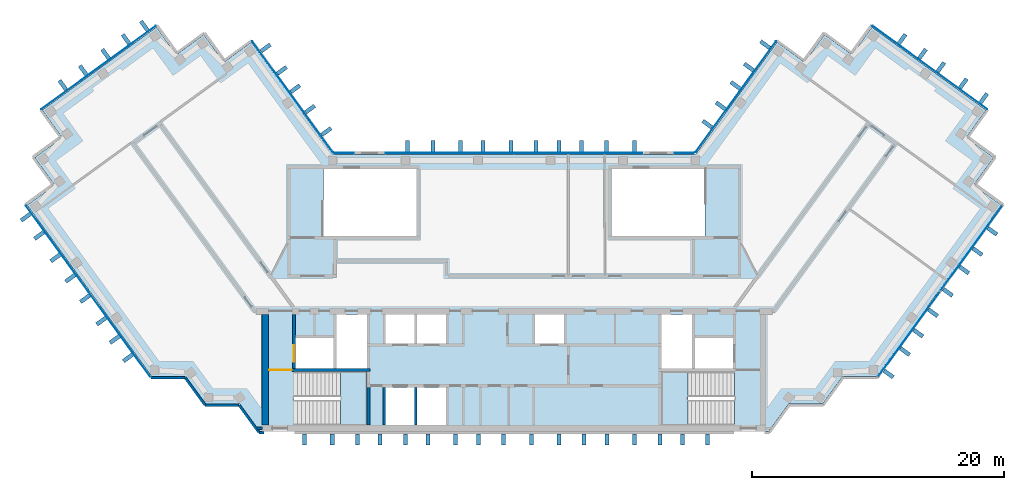
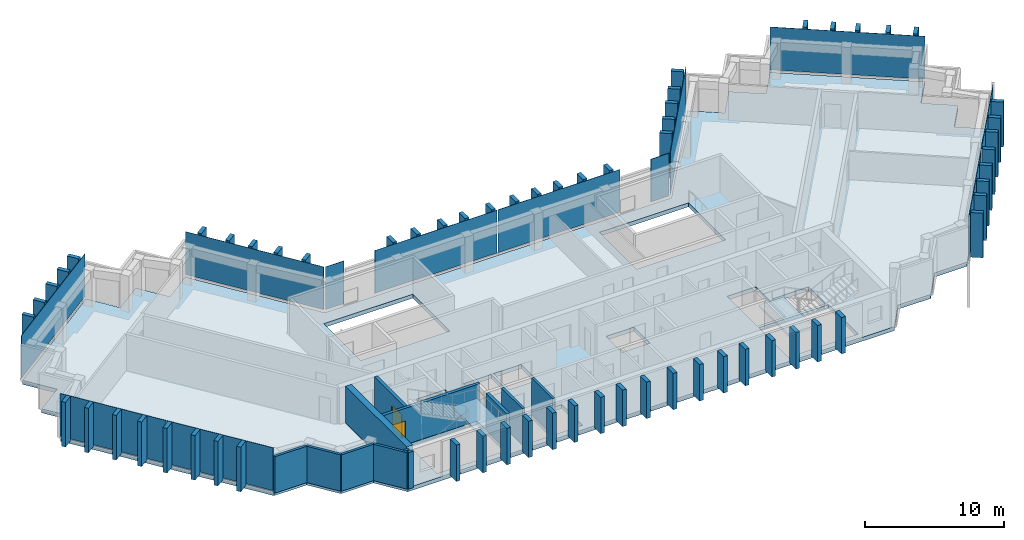
"""IFC4 building model written with IfcOpenShell, lengths in metres."""

from ifc_helpers import new_model, si_unit, direction, frame, frame_2d, origin, origin_2d, place, context, subcontext, project, spatial, polyline, rectangle, outline, extrude, material, layer, layer_set, type_object, element, fill, aggregate, save


model = new_model("IFC4")

# Units and contexts
model_context = context("Model", 3, precision=1e-05, world=origin(), true_north=direction((0.0, 1.0)))
body_context = subcontext(model_context, "Body", "Model", "MODEL_VIEW")
ifc_project = project(units=[si_unit("LENGTHUNIT", "METRE"), si_unit("AREAUNIT", "SQUARE_METRE"), si_unit("VOLUMEUNIT", "CUBIC_METRE"), si_unit("PLANEANGLEUNIT", "RADIAN"), si_unit("MASSUNIT", "GRAM", prefix="KILO")], contexts=[model_context])

# Site, building, storey
site_placement = place(None, origin())
site = spatial("IfcSite", under=ifc_project, at=site_placement, CompositionType="ELEMENT")
building_placement = place(site_placement, origin())
building = spatial("IfcBuilding", under=site, at=building_placement, Name="Quipu Civic Tower", CompositionType="ELEMENT")
storey_1_placement = place(building_placement, frame((0.0, 0.0, 351.0)))
storey_1 = spatial("IfcBuildingStorey", under=building, at=storey_1_placement, Name="L82", CompositionType="ELEMENT", Elevation=351.0)

# Slab
ifc_material_1 = material(Name="Concrete C40/50", Category="concrete")
ifc_layer_1 = layer(ifc_material_1, 0.35009765625)
ifc_layer_set_1 = layer_set([ifc_layer_1], Name="Concrete C40/50")
slab_type_1 = type_object("IfcSlabType", Name="Floor slab 350 C40/50", PredefinedType="FLOOR", material=ifc_layer_set_1)
slab_1_placement = place(storey_1_placement, frame((0.0, 0.0, -0.35009765625)))
element("IfcSlab", 1, at=slab_1_placement, inside=storey_1, type_object=slab_type_1, Name="Floor slab L82", PredefinedType="FLOOR", context=body_context, shape_type="SweptSolid", body=[
    extrude(outline(polyline([(20.860107421875, 19.89501953125), (23.0400390625, 18.31005859375), (24.6298828125, 20.4951171875), (26.81494140625, 18.905029296875), (28.39990234375, 21.090087890625), (37.4599609375, 14.5048828125), (35.875, 12.320068359375), (38.06005859375, 10.735107421875), (36.469970703125, 8.550048828125), (38.655029296875, 6.965087890625), (28.780029296875, -6.6298828125), (26.080078125, -6.6298828125), (24.489990234375, -8.81494140625), (21.7900390625, -8.81494140625), (20.205078125, -11.0), (-20.205078125, -11.0), (-21.7900390625, -8.81494140625), (-24.489990234375, -8.81494140625), (-26.080078125, -6.6298828125), (-28.780029296875, -6.6298828125), (-38.655029296875, 6.965087890625), (-36.469970703125, 8.550048828125), (-38.06005859375, 10.735107421875), (-35.875, 12.320068359375), (-37.4599609375, 14.5048828125), (-28.39990234375, 21.090087890625), (-26.81494140625, 18.905029296875), (-24.6298828125, 20.4951171875), (-23.0400390625, 18.31005859375), (-20.860107421875, 19.89501953125), (-14.39501953125, 11.0), (14.39501953125, 11.0), (20.860107421875, 19.89501953125)]), holes=[polyline([(-10.199951171875, -10.5), (-7.89990234375, -10.5), (-7.89990234375, -7.5), (-10.199951171875, -7.5), (-10.199951171875, -10.5)]), polyline([(-7.699951171875, -7.5), (-7.699951171875, -10.5), (-5.39990234375, -10.5), (-5.39990234375, -7.5), (-7.699951171875, -7.5)]), polyline([(-11.705078125, -6.2548828125), (-17.4951171875, -6.2548828125), (-17.4951171875, -10.4951171875), (-11.705078125, -10.4951171875), (-11.705078125, -6.2548828125)]), polyline([(-17.35009765625, -6.0), (-14.35009765625, -6.0), (-14.35009765625, -3.60009765625), (-17.35009765625, -3.60009765625), (-17.35009765625, -6.0)]), polyline([(-14.10009765625, -1.699951171875), (-14.10009765625, -6.0), (-11.699951171875, -6.0), (-11.699951171875, -1.699951171875), (-14.10009765625, -1.699951171875)]), polyline([(-10.199951171875, -1.699951171875), (-10.199951171875, -4.0), (-7.89990234375, -4.0), (-7.89990234375, -1.699951171875), (-10.199951171875, -1.699951171875)]), polyline([(-15.14501953125, 9.844970703125), (-15.14501953125, 4.5048828125), (-7.7548828125, 4.5048828125), (-7.7548828125, 9.844970703125), (-15.14501953125, 9.844970703125)]), polyline([(11.705078125, -10.4951171875), (17.4951171875, -10.4951171875), (17.4951171875, -6.2548828125), (11.705078125, -6.2548828125), (11.705078125, -10.4951171875)]), polyline([(14.35009765625, -3.60009765625), (14.35009765625, -6.0), (17.35009765625, -6.0), (17.35009765625, -3.60009765625), (14.35009765625, -3.60009765625)]), polyline([(11.699951171875, -1.699951171875), (11.699951171875, -6.0), (14.10009765625, -6.0), (14.10009765625, -1.699951171875), (11.699951171875, -1.699951171875)]), polyline([(-7.699951171875, -1.699951171875), (-7.699951171875, -4.0), (-5.39990234375, -4.0), (-5.39990234375, -1.699951171875), (-7.699951171875, -1.699951171875)]), polyline([(1.64990234375, -1.699951171875), (1.64990234375, -4.0), (3.949951171875, -4.0), (3.949951171875, -1.699951171875), (1.64990234375, -1.699951171875)]), polyline([(7.7548828125, 4.5048828125), (15.14501953125, 4.5048828125), (15.14501953125, 9.844970703125), (7.7548828125, 9.844970703125), (7.7548828125, 4.5048828125)])]), origin(), (0.0, 0.0, 1.0), 0.35009765625),
])

# Storey
storey_2_placement = place(building_placement, frame((0.0, 0.0, 347.0)))
storey_2 = spatial("IfcBuildingStorey", under=building, at=storey_2_placement, Name="L81", CompositionType="ELEMENT", Elevation=347.0)

# Curtain wall, plate
ifc_material_2 = material(Name="Insulated glass unit", Category="glass")
curtain_wall_type = type_object("IfcCurtainWallType", Name="Office curtain wall CW1", PredefinedType="NOTDEFINED", material=ifc_material_2)
curtain_wall_1_placement = place(storey_2_placement, origin())
curtain_wall_1 = element("IfcCurtainWall", 2, at=curtain_wall_1_placement, inside=storey_2, type_object=curtain_wall_type, Name="Office curtain wall CW1 L80 run 1", PredefinedType="NOTDEFINED")
ifc_material_3 = material(Name="Insulated glass unit", Category="glass")
ifc_layer_2 = layer(ifc_material_3, 0.028076171875)
ifc_layer_set_2 = layer_set([ifc_layer_2], Name="Insulated glass unit")
plate_type_1 = type_object("IfcPlateType", Name="Glass panel CW1", PredefinedType="CURTAIN_PANEL", material=ifc_layer_set_2)
plate_1_placement = place(storey_1_placement, frame((-17.590087890625, 15.5673828125, 0.16015625), z_axis=(0.0, 0.0, 1.0), x_axis=(-0.587787771652, 0.809015163947, 0.0)))
plate_1 = element("IfcPlate", 3, at=plate_1_placement, inside=storey_1, type_object=plate_type_1, Name="CW1 panel 1.3", PredefinedType="CURTAIN_PANEL", context=body_context, shape_type="SweptSolid", body=[
    extrude(rectangle(XDim=10.88427734375, YDim=0.028076171875, at=origin_2d()), origin(), (0.0, 0.0, 1.0), 3.760009765625),
])
aggregate(curtain_wall_1, [plate_1])

curtain_wall_2_placement = place(storey_2_placement, origin())
curtain_wall_2 = element("IfcCurtainWall", 4, at=curtain_wall_2_placement, inside=storey_2, type_object=curtain_wall_type, Name="Office curtain wall CW1 L80 run 6", PredefinedType="NOTDEFINED")
plate_2_placement = place(storey_1_placement, frame((-32.989990234375, 17.87939453125, 0.16015625), z_axis=(0.0, 0.0, 1.0), x_axis=(-0.809015176832, -0.587787753918, 0.0)))
plate_2 = element("IfcPlate", 5, at=plate_2_placement, inside=storey_1, type_object=plate_type_1, Name="CW1 panel 1.3", PredefinedType="CURTAIN_PANEL", context=body_context, shape_type="SweptSolid", body=[
    extrude(rectangle(XDim=11.239990234375, YDim=0.028076171875, at=origin_2d()), origin(), (0.0, 0.0, 1.0), 3.760009765625),
])
aggregate(curtain_wall_2, [plate_2])

# Curtain wall, plates
curtain_wall_3_placement = place(storey_2_placement, origin())
curtain_wall_3 = element("IfcCurtainWall", 6, at=curtain_wall_3_placement, inside=storey_2, type_object=curtain_wall_type, Name="Office curtain wall CW1 L80 run 11", PredefinedType="NOTDEFINED")
plate_3_placement = place(storey_1_placement, frame((-36.292724609375, 3.54052734375, 0.16015625), z_axis=(0.0, 0.0, 1.0), x_axis=(0.587786237643, -0.809016278475, 0.0)))
plate_3 = element("IfcPlate", 7, at=plate_3_placement, inside=storey_1, type_object=plate_type_1, Name="CW1 panel 1.3", PredefinedType="CURTAIN_PANEL", context=body_context, shape_type="SweptSolid", body=[
    extrude(rectangle(XDim=8.35791015625, YDim=0.028076171875, at=origin_2d()), origin(), (0.0, 0.0, 1.0), 3.760009765625),
])
plate_4_placement = place(storey_1_placement, frame((-31.333251953125, -3.285888671875, 0.16015625), z_axis=(0.0, 0.0, 1.0), x_axis=(0.587786237643, -0.809016278475, 0.0)))
plate_4 = element("IfcPlate", 8, at=plate_4_placement, inside=storey_1, type_object=plate_type_1, Name="CW1 panel 2.3", PredefinedType="CURTAIN_PANEL", context=body_context, shape_type="SweptSolid", body=[
    extrude(rectangle(XDim=8.35791015625, YDim=0.028076171875, at=origin_2d()), origin(), (0.0, 0.0, 1.0), 3.760009765625),
])
aggregate(curtain_wall_3, [plate_3, plate_4])

# Curtain wall, plate
curtain_wall_4_placement = place(storey_2_placement, origin())
curtain_wall_4 = element("IfcCurtainWall", 9, at=curtain_wall_4_placement, inside=storey_2, type_object=curtain_wall_type, Name="Office curtain wall CW1 L80 run 21", PredefinedType="NOTDEFINED")
plate_5_placement = place(storey_1_placement, frame((32.989990234375, 17.87939453125, 0.16015625), z_axis=(0.0, 0.0, 1.0), x_axis=(-0.809015176832, 0.587787753918, 0.0)))
plate_5 = element("IfcPlate", 10, at=plate_5_placement, inside=storey_1, type_object=plate_type_1, Name="CW1 panel 1.3", PredefinedType="CURTAIN_PANEL", context=body_context, shape_type="SweptSolid", body=[
    extrude(rectangle(XDim=11.239990234375, YDim=0.028076171875, at=origin_2d()), origin(), (0.0, 0.0, 1.0), 3.760009765625),
])
aggregate(curtain_wall_4, [plate_5])

curtain_wall_5_placement = place(storey_2_placement, origin())
curtain_wall_5 = element("IfcCurtainWall", 11, at=curtain_wall_5_placement, inside=storey_2, type_object=curtain_wall_type, Name="Office curtain wall CW1 L80 run 26", PredefinedType="NOTDEFINED")
plate_6_placement = place(storey_1_placement, frame((17.590087890625, 15.5673828125, 0.16015625), z_axis=(0.0, 0.0, 1.0), x_axis=(-0.587787771652, -0.809015163947, 0.0)))
plate_6 = element("IfcPlate", 12, at=plate_6_placement, inside=storey_1, type_object=plate_type_1, Name="CW1 panel 1.3", PredefinedType="CURTAIN_PANEL", context=body_context, shape_type="SweptSolid", body=[
    extrude(rectangle(XDim=10.88427734375, YDim=0.028076171875, at=origin_2d()), origin(), (0.0, 0.0, 1.0), 3.760009765625),
])
aggregate(curtain_wall_5, [plate_6])

curtain_wall_6_placement = place(storey_2_placement, origin())
curtain_wall_6 = element("IfcCurtainWall", 13, at=curtain_wall_6_placement, inside=storey_2, type_object=curtain_wall_type, Name="Office curtain wall CW1 L80 run 27", PredefinedType="NOTDEFINED")
plate_7_placement = place(storey_1_placement, frame((13.49951171875, 11.10009765625, 0.16015625), z_axis=(0.0, 0.0, 1.0), x_axis=(-1.0, 0.0, 0.0)))
plate_7 = element("IfcPlate", 14, at=plate_7_placement, inside=storey_1, type_object=plate_type_1, Name="CW1 panel 1.3", PredefinedType="CURTAIN_PANEL", context=body_context, shape_type="SweptSolid", body=[
    extrude(rectangle(XDim=1.529296875, YDim=0.028076171875, at=origin_2d()), origin(), (0.0, 0.0, 1.0), 3.760009765625),
])
aggregate(curtain_wall_6, [plate_7])

# Curtain wall, plates
curtain_wall_7_placement = place(storey_2_placement, origin())
curtain_wall_7 = element("IfcCurtainWall", 15, at=curtain_wall_7_placement, inside=storey_2, type_object=curtain_wall_type, Name="Office curtain wall CW1 L80 run 29", PredefinedType="NOTDEFINED")
plate_8_placement = place(storey_1_placement, frame((5.11181640625, 11.10009765625, 0.16015625), z_axis=(0.0, 0.0, 1.0), x_axis=(-1.0, 0.0, 0.0)))
plate_8 = element("IfcPlate", 16, at=plate_8_placement, inside=storey_1, type_object=plate_type_1, Name="CW1 panel 1.3", PredefinedType="CURTAIN_PANEL", context=body_context, shape_type="SweptSolid", body=[
    extrude(rectangle(XDim=10.1435546875, YDim=0.028076171875, at=origin_2d()), origin(), (0.0, 0.0, 1.0), 3.760009765625),
])
plate_9_placement = place(storey_1_placement, frame((-5.11181640625, 11.10009765625, 0.16015625), z_axis=(0.0, 0.0, 1.0), x_axis=(-1.0, 0.0, 0.0)))
plate_9 = element("IfcPlate", 17, at=plate_9_placement, inside=storey_1, type_object=plate_type_1, Name="CW1 panel 2.3", PredefinedType="CURTAIN_PANEL", context=body_context, shape_type="SweptSolid", body=[
    extrude(rectangle(XDim=10.1435546875, YDim=0.028076171875, at=origin_2d()), origin(), (0.0, 0.0, 1.0), 3.760009765625),
])
aggregate(curtain_wall_7, [plate_8, plate_9])

# Curtain wall, plate
curtain_wall_8_placement = place(storey_2_placement, origin())
curtain_wall_8 = element("IfcCurtainWall", 18, at=curtain_wall_8_placement, inside=storey_2, type_object=curtain_wall_type, Name="Office curtain wall CW1 L80 run 31", PredefinedType="NOTDEFINED")
plate_10_placement = place(storey_1_placement, frame((-13.49951171875, 11.10009765625, 0.16015625), z_axis=(0.0, 0.0, 1.0), x_axis=(-1.0, 0.0, 0.0)))
plate_10 = element("IfcPlate", 19, at=plate_10_placement, inside=storey_1, type_object=plate_type_1, Name="CW1 panel 1.3", PredefinedType="CURTAIN_PANEL", context=body_context, shape_type="SweptSolid", body=[
    extrude(rectangle(XDim=1.529296875, YDim=0.028076171875, at=origin_2d()), origin(), (0.0, 0.0, 1.0), 3.760009765625),
])
aggregate(curtain_wall_8, [plate_10])

# Curtain wall, plates
curtain_wall_9_placement = place(storey_1_placement, origin())
curtain_wall_9 = element("IfcCurtainWall", 20, at=curtain_wall_9_placement, inside=storey_1, type_object=curtain_wall_type, Name="Office curtain wall CW1 L81 run 4", PredefinedType="NOTDEFINED")
plate_11_placement = place(storey_1_placement, frame((31.333251953125, -3.285888671875, 0.16015625), z_axis=(0.0, 0.0, 1.0), x_axis=(0.587786237643, 0.809016278475, 0.0)))
plate_11 = element("IfcPlate", 21, at=plate_11_placement, type_object=plate_type_1, Name="CW1 panel 1.2", PredefinedType="CURTAIN_PANEL", context=body_context, shape_type="SweptSolid", body=[
    extrude(rectangle(XDim=8.35791015625, YDim=0.028076171875, at=origin_2d()), origin(), (0.0, 0.0, 1.0), 3.760009765625),
])
plate_12_placement = place(storey_1_placement, frame((36.292724609375, 3.54052734375, 0.16015625), z_axis=(0.0, 0.0, 1.0), x_axis=(0.587786237643, 0.809016278475, 0.0)))
plate_12 = element("IfcPlate", 22, at=plate_12_placement, type_object=plate_type_1, Name="CW1 panel 2.2", PredefinedType="CURTAIN_PANEL", context=body_context, shape_type="SweptSolid", body=[
    extrude(rectangle(XDim=8.35791015625, YDim=0.028076171875, at=origin_2d()), origin(), (0.0, 0.0, 1.0), 3.760009765625),
])
aggregate(curtain_wall_9, [plate_11, plate_12])

# Plates
ifc_material_4 = material(Name="Precast concrete C40/50", Category="concrete")
plate_type_2 = type_object("IfcPlateType", Name="Precast fin F3", PredefinedType="SHEET", material=ifc_material_4)
for number, where, z_axis, x_axis, name in (
    (23, (-14.90380859375, 12.805908203125, 0.080078125), (0.0, 0.0, 1.0), (-0.58778443384, 0.809017589015, 0.0), "Precast fin F3 L82.P01.1"),
    (24, (-16.197021484375, 14.585693359375, 0.080078125), (0.0, 0.0, 1.0), (-0.58778443384, 0.809017589015, 0.0), "Precast fin F3 L82.P01.2"),
    (25, (-17.37255859375, 16.203857421875, 0.080078125), (0.0, 0.0, 1.0), (-0.58778443384, 0.809017589015, 0.0), "Precast fin F3 L82.P01.3"),
    (26, (-18.4306640625, 17.66015625, 0.080078125), (0.0, 0.0, 1.0), (-0.58778443384, 0.809017589015, 0.0), "Precast fin F3 L82.P01.4"),
    (27, (-19.7236328125, 19.43994140625, 0.080078125), (0.0, 0.0, 1.0), (-0.58778443384, 0.809017589015, 0.0), "Precast fin F3 L82.P01.5"),
    (28, (-29.357177734375, 21.198486328125, 0.080078125), (0.0, 0.0, 1.0), (-0.809017072762, -0.587785144401, 0.0), "Precast fin F3 L82.P06.1"),
    (29, (-30.8134765625, 20.140625, 0.080078125), (0.0, 0.0, 1.0), (-0.809017072762, -0.587785144401, 0.0), "Precast fin F3 L82.P06.2"),
    (30, (-32.431640625, 18.96484375, 0.080078125), (0.0, 0.0, 1.0), (-0.809017072762, -0.587785144401, 0.0), "Precast fin F3 L82.P06.3"),
    (31, (-34.21142578125, 17.671875, 0.080078125), (0.0, 0.0, 1.0), (-0.809017072762, -0.587785144401, 0.0), "Precast fin F3 L82.P06.4"),
    (32, (-35.829345703125, 16.496337890625, 0.080078125), (0.0, 0.0, 1.0), (-0.809017072762, -0.587785144401, 0.0), "Precast fin F3 L82.P06.5"),
    (33, (-38.764892578125, 6.007568359375, 0.080078125), (0.0, 0.0, 1.0), (0.587786668783, -0.809015965233, 0.0), "Precast fin F3 L82.P11.1"),
    (34, (-37.70703125, 4.55126953125, 0.080078125), (0.0, 0.0, 1.0), (0.587786668783, -0.809015965233, 0.0), "Precast fin F3 L82.P11.2"),
    (35, (-36.413818359375, 2.771484375, 0.080078125), (0.0, 0.0, 1.0), (0.587786668783, -0.809015965233, 0.0), "Precast fin F3 L82.P11.3"),
    (36, (-35.23828125, 1.1533203125, 0.080078125), (0.0, 0.0, 1.0), (0.587786668783, -0.809015965233, 0.0), "Precast fin F3 L82.P11.4"),
    (37, (-34.062744140625, -0.464599609375, 0.080078125), (0.0, 0.0, 1.0), (0.587786668783, -0.809015965233, 0.0), "Precast fin F3 L82.P11.5"),
    (38, (-32.76953125, -2.244384765625, 0.080078125), (0.0, 0.0, 1.0), (0.587786668783, -0.809015965233, 0.0), "Precast fin F3 L82.P11.6"),
    (39, (-31.71142578125, -3.70068359375, 0.080078125), (0.0, 0.0, 1.0), (0.587786668783, -0.809015965233, 0.0), "Precast fin F3 L82.P11.7"),
    (40, (-30.653564453125, -5.156982421875, 0.080078125), (0.0, 0.0, 1.0), (0.587786668783, -0.809015965233, 0.0), "Precast fin F3 L82.P11.8"),
):
    element("IfcPlate", number, at=place(storey_1_placement, frame(where, z_axis=z_axis, x_axis=x_axis)), inside=storey_1, type_object=plate_type_2, Name=name, PredefinedType="SHEET", context=body_context, shape_type="SweptSolid", body=[
        extrude(rectangle(XDim=0.320068359375, YDim=0.89990234375, at=origin_2d()), origin(), (0.0, 0.0, 1.0), 3.919921875),
    ])
for number, where, z_axis, x_axis, name in (
    (41, (-16.639892578125, -11.637939453125, 0.0), (0.0, 0.0, 1.0), (1.0, 0.0, 0.0), "Precast fin F3 L82.P18.1"),
    (42, (-14.43994140625, -11.637939453125, 0.0), (0.0, 0.0, 1.0), (1.0, 0.0, 0.0), "Precast fin F3 L82.P18.2"),
    (43, (-12.43994140625, -11.637939453125, 0.0), (0.0, 0.0, 1.0), (1.0, 0.0, 0.0), "Precast fin F3 L82.P18.3"),
    (44, (-10.639892578125, -11.637939453125, 0.0), (0.0, 0.0, 1.0), (1.0, 0.0, 0.0), "Precast fin F3 L82.P18.4"),
    (45, (-8.639892578125, -11.637939453125, 0.0), (0.0, 0.0, 1.0), (1.0, 0.0, 0.0), "Precast fin F3 L82.P18.5"),
    (46, (-6.840087890625, -11.637939453125, 0.0), (0.0, 0.0, 1.0), (1.0, 0.0, 0.0), "Precast fin F3 L82.P18.6"),
    (47, (-4.639892578125, -11.637939453125, 0.0), (0.0, 0.0, 1.0), (1.0, 0.0, 0.0), "Precast fin F3 L82.P18.7"),
    (48, (-2.840087890625, -11.637939453125, 0.0), (0.0, 0.0, 1.0), (1.0, 0.0, 0.0), "Precast fin F3 L82.P18.8"),
    (49, (-0.840087890625, -11.637939453125, 0.0), (0.0, 0.0, 1.0), (1.0, 0.0, 0.0), "Precast fin F3 L82.P18.9"),
    (50, (1.360107421875, -11.637939453125, 0.0), (0.0, 0.0, 1.0), (1.0, 0.0, 0.0), "Precast fin F3 L82.P18.10"),
    (51, (3.56005859375, -11.637939453125, 0.0), (0.0, 0.0, 1.0), (1.0, 0.0, 0.0), "Precast fin F3 L82.P18.11"),
    (52, (5.56005859375, -11.637939453125, 0.0), (0.0, 0.0, 1.0), (1.0, 0.0, 0.0), "Precast fin F3 L82.P18.12"),
    (53, (7.360107421875, -11.637939453125, 0.0), (0.0, 0.0, 1.0), (1.0, 0.0, 0.0), "Precast fin F3 L82.P18.13"),
    (54, (9.56005859375, -11.637939453125, 0.0), (0.0, 0.0, 1.0), (1.0, 0.0, 0.0), "Precast fin F3 L82.P18.14"),
    (55, (11.56005859375, -11.637939453125, 0.0), (0.0, 0.0, 1.0), (1.0, 0.0, 0.0), "Precast fin F3 L82.P18.15"),
    (56, (13.360107421875, -11.637939453125, 0.0), (0.0, 0.0, 1.0), (1.0, 0.0, 0.0), "Precast fin F3 L82.P18.16"),
    (57, (15.360107421875, -11.637939453125, 0.0), (0.0, 0.0, 1.0), (1.0, 0.0, 0.0), "Precast fin F3 L82.P18.17"),
):
    element("IfcPlate", number, at=place(storey_1_placement, frame(where, z_axis=z_axis, x_axis=x_axis)), inside=storey_1, type_object=plate_type_2, Name=name, PredefinedType="SHEET", context=body_context, shape_type="SweptSolid", body=[
        extrude(rectangle(XDim=0.320068359375, YDim=0.89990234375, at=origin_2d()), origin(), (0.0, 0.0, 1.0), 3.199951171875),
    ])
for number, where, z_axis, x_axis, name in (
    (58, (37.26953125, 15.449951171875, 0.080078125), (0.0, 0.0, 1.0), (-0.809017072762, 0.587785144401, 0.0), "Precast fin F3 L82.P22.1"),
    (59, (35.6513671875, 16.62548828125, 0.080078125), (0.0, 0.0, 1.0), (-0.809017072762, 0.587785144401, 0.0), "Precast fin F3 L82.P22.2"),
    (60, (33.87158203125, 17.918701171875, 0.080078125), (0.0, 0.0, 1.0), (-0.809017072762, 0.587785144401, 0.0), "Precast fin F3 L82.P22.3"),
    (61, (32.415283203125, 18.976806640625, 0.080078125), (0.0, 0.0, 1.0), (-0.809017072762, 0.587785144401, 0.0), "Precast fin F3 L82.P22.4"),
    (62, (30.79736328125, 20.15234375, 0.080078125), (0.0, 0.0, 1.0), (-0.809017072762, 0.587785144401, 0.0), "Precast fin F3 L82.P22.5"),
    (63, (19.914794921875, 19.702880859375, 0.080078125), (0.0, 0.0, 1.0), (-0.58778443384, -0.809017589015, 0.0), "Precast fin F3 L82.P27.1"),
    (64, (18.62158203125, 17.923095703125, 0.080078125), (0.0, 0.0, 1.0), (-0.58778443384, -0.809017589015, 0.0), "Precast fin F3 L82.P27.2"),
    (65, (17.563720703125, 16.466796875, 0.080078125), (0.0, 0.0, 1.0), (-0.58778443384, -0.809017589015, 0.0), "Precast fin F3 L82.P27.3"),
    (66, (16.38818359375, 14.848876953125, 0.080078125), (0.0, 0.0, 1.0), (-0.58778443384, -0.809017589015, 0.0), "Precast fin F3 L82.P27.4"),
    (67, (15.330078125, 13.392578125, 0.080078125), (0.0, 0.0, 1.0), (-0.58778443384, -0.809017589015, 0.0), "Precast fin F3 L82.P27.5"),
    (68, (9.5400390625, 11.64990234375, 0.080078125), (0.0, 0.0, 1.0), (-1.0, 0.0, 0.0), "Precast fin F3 L82.P30.1"),
    (69, (7.340087890625, 11.64990234375, 0.080078125), (0.0, 0.0, 1.0), (-1.0, 0.0, 0.0), "Precast fin F3 L82.P30.2"),
    (70, (5.340087890625, 11.64990234375, 0.080078125), (0.0, 0.0, 1.0), (-1.0, 0.0, 0.0), "Precast fin F3 L82.P30.3"),
    (71, (3.5400390625, 11.64990234375, 0.080078125), (0.0, 0.0, 1.0), (-1.0, 0.0, 0.0), "Precast fin F3 L82.P30.4"),
    (72, (1.739990234375, 11.64990234375, 0.080078125), (0.0, 0.0, 1.0), (-1.0, 0.0, 0.0), "Precast fin F3 L82.P30.5"),
    (73, (-0.260009765625, 11.64990234375, 0.080078125), (0.0, 0.0, 1.0), (-1.0, 0.0, 0.0), "Precast fin F3 L82.P30.6"),
    (74, (-2.4599609375, 11.64990234375, 0.080078125), (0.0, 0.0, 1.0), (-1.0, 0.0, 0.0), "Precast fin F3 L82.P30.7"),
    (75, (-4.260009765625, 11.64990234375, 0.080078125), (0.0, 0.0, 1.0), (-1.0, 0.0, 0.0), "Precast fin F3 L82.P30.8"),
    (76, (-6.4599609375, 11.64990234375, 0.080078125), (0.0, 0.0, 1.0), (-1.0, 0.0, 0.0), "Precast fin F3 L82.P30.9"),
    (77, (-8.4599609375, 11.64990234375, 0.080078125), (0.0, 0.0, 1.0), (-1.0, 0.0, 0.0), "Precast fin F3 L82.P30.10"),
    (78, (29.721923828125, -6.43896484375, 0.080078125), (0.0, 0.0, 1.0), (0.587786668783, 0.809015965233, 0.0), "Precast fin F3 L82.P36.1"),
    (79, (31.01513671875, -4.6591796875, 0.080078125), (0.0, 0.0, 1.0), (0.587786668783, 0.809015965233, 0.0), "Precast fin F3 L82.P36.2"),
    (80, (32.0732421875, -3.202880859375, 0.080078125), (0.0, 0.0, 1.0), (0.587786668783, 0.809015965233, 0.0), "Precast fin F3 L82.P36.3"),
    (81, (33.248779296875, -1.5849609375, 0.080078125), (0.0, 0.0, 1.0), (0.587786668783, 0.809015965233, 0.0), "Precast fin F3 L82.P36.4"),
    (82, (34.42431640625, 0.033203125, 0.080078125), (0.0, 0.0, 1.0), (0.587786668783, 0.809015965233, 0.0), "Precast fin F3 L82.P36.5"),
    (83, (35.717529296875, 1.81298828125, 0.080078125), (0.0, 0.0, 1.0), (0.587786668783, 0.809015965233, 0.0), "Precast fin F3 L82.P36.6"),
    (84, (36.775390625, 3.269287109375, 0.080078125), (0.0, 0.0, 1.0), (0.587786668783, 0.809015965233, 0.0), "Precast fin F3 L82.P36.7"),
    (85, (37.950927734375, 4.88720703125, 0.080078125), (0.0, 0.0, 1.0), (0.587786668783, 0.809015965233, 0.0), "Precast fin F3 L82.P36.8"),
):
    element("IfcPlate", number, at=place(storey_1_placement, frame(where, z_axis=z_axis, x_axis=x_axis)), inside=storey_1, type_object=plate_type_2, Name=name, PredefinedType="SHEET", context=body_context, shape_type="SweptSolid", body=[
        extrude(rectangle(XDim=0.320068359375, YDim=0.89990234375, at=origin_2d()), origin(), (0.0, 0.0, 1.0), 3.919921875),
    ])

# Stair, slab
ifc_material_5 = material(Name="Concrete C40/50", Category="concrete")
stair_type = type_object("IfcStairType", Name="Half turn stair 2000", PredefinedType="HALF_TURN_STAIR", material=ifc_material_5)
stair_1_placement = place(storey_1_placement, origin())
stair_1 = element("IfcStair", 86, at=stair_1_placement, inside=storey_1, type_object=stair_type, Name="Exit stair 1", PredefinedType="HALF_TURN_STAIR")
ifc_material_6 = material(Name="Concrete C40/50", Category="concrete")
ifc_layer_3 = layer(ifc_material_6, 0.199951171875)
ifc_layer_set_3 = layer_set([ifc_layer_3], Name="Concrete C40/50")
slab_type_2 = type_object("IfcSlabType", Name="Stair landing 200", PredefinedType="LANDING", material=ifc_layer_set_3)
slab_2_placement = place(storey_1_placement, frame((0.0, 0.0, 1.800048828125)))
slab_2 = element("IfcSlab", 87, at=slab_2_placement, type_object=slab_type_2, Name="ST-1 landing 1", PredefinedType="LANDING", context=body_context, shape_type="SweptSolid", body=[
    extrude(outline(polyline([(-13.780029296875, -10.5), (-11.699951171875, -10.5), (-11.699951171875, -6.25), (-13.780029296875, -6.25), (-13.780029296875, -10.5)])), origin(), (0.0, 0.0, 1.0), 0.199951171875),
])
aggregate(stair_1, [slab_2])

stair_2_placement = place(storey_1_placement, origin())
stair_2 = element("IfcStair", 88, at=stair_2_placement, inside=storey_1, type_object=stair_type, Name="Exit stair 2", PredefinedType="HALF_TURN_STAIR")
slab_3_placement = place(storey_1_placement, frame((0.0, 0.0, 1.800048828125)))
slab_3 = element("IfcSlab", 89, at=slab_3_placement, type_object=slab_type_2, Name="ST-2 landing 1", PredefinedType="LANDING", context=body_context, shape_type="SweptSolid", body=[
    extrude(outline(polyline([(13.780029296875, -6.25), (11.699951171875, -6.25), (11.699951171875, -10.5), (13.780029296875, -10.5), (13.780029296875, -6.25)])), origin(), (0.0, 0.0, 1.0), 0.199951171875),
])
aggregate(stair_2, [slab_3])

# Wall
ifc_material_7 = material(Name="Concrete C70/85", Category="concrete")
ifc_layer_4 = layer(ifc_material_7, 0.25)
ifc_layer_set_4 = layer_set([ifc_layer_4], Name="Concrete C70/85")
wall_type_1 = type_object("IfcWallType", Name="Core wall 250", PredefinedType="SHEAR", material=ifc_layer_set_4)
wall_1_placement = place(storey_1_placement, frame((-11.574951171875, -10.5, 0.0), z_axis=(0.0, 0.0, 1.0), x_axis=(0.0, 1.0, 0.0)))
element("IfcWall", 90, at=wall_1_placement, inside=storey_1, type_object=wall_type_1, Name="Core wall", PredefinedType="SHEAR", context=body_context, shape_type="SweptSolid", body=[
    extrude(rectangle(XDim=3.0, YDim=0.25, at=frame_2d((1.5, 0.0))), origin(), (0.0, 0.0, 1.0), 3.199951171875),
])

# Wall, opening, door
wall_2_placement = place(storey_1_placement, frame((-11.449951171875, -6.125, 0.0), z_axis=(0.0, 0.0, 1.0), x_axis=(-1.0, 0.0, 0.0)))
wall_2 = element("IfcWall", 91, at=wall_2_placement, inside=storey_1, type_object=wall_type_1, Name="Core wall", PredefinedType="SHEAR", context=body_context, shape_type="SweptSolid", body=[
    extrude(rectangle(XDim=8.050048828125, YDim=0.25, at=frame_2d((4.02490234375, 0.0))), origin(), (0.0, 0.0, 1.0), 3.199951171875),
])
opening_1_placement = place(wall_2_placement, frame((6.199951171875, 0.0, 0.0)))
opening_1 = element("IfcOpeningElement", 92, at=opening_1_placement, cuts=wall_2, Name="Opening CD-07", PredefinedType="OPENING", context=body_context, shape_type="SweptSolid", body=[
    extrude(rectangle(XDim=1.800048828125, YDim=2.10009765625, at=frame_2d((0.89990234375, 1.050048828125))), frame((0.0, 0.135009765625, 0.0), z_axis=(0.0, -1.0, 0.0), x_axis=(1.0, 0.0, 0.0)), (0.0, 0.0, 1.0), 0.27001953125),
])
ifc_material_8 = material(Name="Fire rated steel door", Category="steel")
door_type_1 = type_object("IfcDoorType", Name="Fire door FD90 double 1800 x 2100", OperationType="NOTDEFINED", PredefinedType="DOOR", material=ifc_material_8)
door_1_placement = place(opening_1_placement, origin())
door_1 = element("IfcDoor", 93, at=door_1_placement, inside=storey_1, type_object=door_type_1, Name="Door", OperationType="DOUBLE_DOOR_SINGLE_SWING", OverallHeight=2.10009765625, OverallWidth=1.800048828125, PredefinedType="DOOR", context=body_context, shape_type="SweptSolid", body=[
    extrude(rectangle(XDim=1.800048828125, YDim=2.10009765625, at=frame_2d((0.89990234375, 1.050048828125))), frame((0.0, 0.02490234375, 0.0), z_axis=(0.0, -1.0, 0.0), x_axis=(1.0, 0.0, 0.0)), (0.0, 0.0, 1.0), 0.050048828125),
])
fill(opening_1, door_1)

wall_3_placement = place(storey_1_placement, frame((-17.47509765625, -6.0, 0.0), z_axis=(0.0, 0.0, 1.0), x_axis=(0.0, 1.0, 0.0)))
wall_3 = element("IfcWall", 94, at=wall_3_placement, inside=storey_1, type_object=wall_type_1, Name="Core wall", PredefinedType="SHEAR", context=body_context, shape_type="SweptSolid", body=[
    extrude(rectangle(XDim=4.300048828125, YDim=0.25, at=frame_2d((2.14990234375, 0.0))), origin(), (0.0, 0.0, 1.0), 3.199951171875),
])
opening_2_placement = place(wall_3_placement, frame((0.550048828125, 0.0, 0.0)))
opening_2 = element("IfcOpeningElement", 95, at=opening_2_placement, cuts=wall_3, Name="Opening LD-FF1", PredefinedType="OPENING", context=body_context, shape_type="SweptSolid", body=[
    extrude(rectangle(XDim=1.300048828125, YDim=2.10009765625, at=frame_2d((0.64990234375, 1.050048828125))), frame((0.0, 0.135009765625, 0.0), z_axis=(0.0, -1.0, 0.0), x_axis=(1.0, 0.0, 0.0)), (0.0, 0.0, 1.0), 0.27001953125),
])
ifc_material_9 = material(Name="Stainless steel", Category="steel")
door_type_2 = type_object("IfcDoorType", Name="Lift landing door 1300 x 2100", OperationType="DOUBLE_DOOR_SLIDING", PredefinedType="DOOR", material=ifc_material_9)
door_2_placement = place(opening_2_placement, origin())
door_2 = element("IfcDoor", 96, at=door_2_placement, inside=storey_1, type_object=door_type_2, Name="Landing door FF1", OperationType="DOUBLE_DOOR_SLIDING", OverallHeight=2.10009765625, OverallWidth=1.300048828125, PredefinedType="DOOR", context=body_context, shape_type="SweptSolid", body=[
    extrude(rectangle(XDim=1.300048828125, YDim=2.10009765625, at=frame_2d((0.64990234375, 1.050048828125))), frame((0.0, 0.02490234375, 0.0), z_axis=(0.0, -1.0, 0.0), x_axis=(1.0, 0.0, 0.0)), (0.0, 0.0, 1.0), 0.050048828125),
])
fill(opening_2, door_2)

# Walls
ifc_material_10 = material(Name="Concrete C70/85", Category="concrete")
ifc_layer_5 = layer(ifc_material_10, 0.5)
ifc_layer_set_5 = layer_set([ifc_layer_5], Name="Concrete C70/85")
wall_type_2 = type_object("IfcWallType", Name="Core wall 500", PredefinedType="SHEAR", material=ifc_layer_set_5)
wall_4_placement = place(storey_1_placement, frame((-19.75, -10.5, 0.0), z_axis=(0.0, 0.0, 1.0), x_axis=(0.0, 1.0, 0.0)))
element("IfcWall", 97, at=wall_4_placement, inside=storey_1, type_object=wall_type_2, Name="Core wall", PredefinedType="SHEAR", context=body_context, shape_type="SweptSolid", body=[
    extrude(rectangle(XDim=8.800048828125, YDim=0.5, at=frame_2d((4.39990234375, 0.0))), origin(), (0.0, 0.0, 1.0), 3.199951171875),
])
ifc_material_11 = material(Name="Precast concrete C40/50", Category="concrete")
wall_type_3 = type_object("IfcWallType", Name="Precast cladding wall", PredefinedType="SOLIDWALL", material=ifc_material_11)
wall_5_placement = place(storey_1_placement, frame((-28.829833984375, -6.71923828125, 0.0), z_axis=(0.0, 0.0, 1.0), x_axis=(1.0, 0.0, 0.0)))
element("IfcWall", 98, at=wall_5_placement, inside=storey_1, type_object=wall_type_3, Name="Precast cladding wall L82 P12", PredefinedType="SOLIDWALL", context=body_context, shape_type="SweptSolid", body=[
    extrude(rectangle(XDim=2.699951171875, YDim=0.199951171875, at=frame_2d((1.35009765625, 0.0))), origin(), (0.0, 0.0, 1.0), 3.199951171875),
])
wall_6_placement = place(storey_1_placement, frame((-26.1201171875, -6.72412109375, 0.0), z_axis=(0.0, 0.0, 1.0), x_axis=(0.587720002413, -0.809064397168, 0.0)))
element("IfcWall", 99, at=wall_6_placement, inside=storey_1, type_object=wall_type_3, Name="Precast cladding wall L82 P13", PredefinedType="SOLIDWALL", context=body_context, shape_type="SweptSolid", body=[
    extrude(rectangle(XDim=2.7001953125, YDim=0.199951171875, at=frame_2d((1.35009765625, 0.0))), origin(), (0.0, 0.0, 1.0), 3.199951171875),
])
wall_7_placement = place(storey_1_placement, frame((-24.542724609375, -8.90380859375, 0.0), z_axis=(0.0, 0.0, 1.0), x_axis=(1.0, 0.0, 0.0)))
element("IfcWall", 100, at=wall_7_placement, inside=storey_1, type_object=wall_type_3, Name="Precast cladding wall L82 P14", PredefinedType="SOLIDWALL", context=body_context, shape_type="SweptSolid", body=[
    extrude(rectangle(XDim=2.699951171875, YDim=0.199951171875, at=frame_2d((1.35009765625, 0.0))), origin(), (0.0, 0.0, 1.0), 3.199951171875),
])
wall_8_placement = place(storey_1_placement, frame((-21.8330078125, -8.90869140625, 0.0), z_axis=(0.0, 0.0, 1.0), x_axis=(0.587766567315, -0.809030569476, 0.0)))
element("IfcWall", 101, at=wall_8_placement, inside=storey_1, type_object=wall_type_3, Name="Precast cladding wall L82 P15", PredefinedType="SOLIDWALL", context=body_context, shape_type="SweptSolid", body=[
    extrude(rectangle(XDim=2.687744140625, YDim=0.199951171875, at=frame_2d((1.34375, 0.0))), origin(), (0.0, 0.0, 1.0), 3.199951171875),
])
wall_9_placement = place(storey_1_placement, frame((-20.255859375, -11.087890625, 0.0), z_axis=(0.0, 0.0, 1.0), x_axis=(1.0, 0.0, 0.0)))
element("IfcWall", 102, at=wall_9_placement, inside=storey_1, type_object=wall_type_3, Name="Precast cladding wall L82 P16", PredefinedType="SOLIDWALL", context=body_context, shape_type="SweptSolid", body=[
    extrude(rectangle(XDim=0.40576171875, YDim=0.199951171875, at=frame_2d((0.202880859375, 0.0))), origin(), (0.0, 0.0, 1.0), 3.199951171875),
])
wall_10_placement = place(storey_1_placement, frame((-19.97998046875, -10.75, 0.0), z_axis=(0.0, 0.0, 1.0), x_axis=(-1.0, 0.0, 0.0)))
element("IfcWall", 103, at=wall_10_placement, inside=storey_1, type_object=wall_type_3, Name="Precast cladding return L82 W", PredefinedType="SOLIDWALL", context=body_context, shape_type="SweptSolid", body=[
    extrude(rectangle(XDim=0.41650390625, YDim=0.199951171875, at=frame_2d((0.208251953125, 0.0))), origin(), (0.0, 0.0, 1.0), 3.199951171875),
])
ifc_material_12 = material(Name="Concrete C40/50", Category="concrete")
ifc_layer_6 = layer(ifc_material_12, 0.199951171875)
ifc_layer_set_6 = layer_set([ifc_layer_6], Name="Concrete C40/50")
wall_type_4 = type_object("IfcWallType", Name="Shaft wall 200", PredefinedType="SOLIDWALL", material=ifc_layer_set_6)
for number, where, z_axis, x_axis, name in (
    (104, (-10.300048828125, -10.5, 0.0), (0.0, 0.0, 1.0), (0.0, 1.0, 0.0), "Shaft wall"),
    (105, (-7.800048828125, -10.5, 0.0), (0.0, 0.0, 1.0), (0.0, 1.0, 0.0), "Shaft wall"),
):
    element("IfcWall", number, at=place(storey_1_placement, frame(where, z_axis=z_axis, x_axis=x_axis)), inside=storey_1, type_object=wall_type_4, Name=name, PredefinedType="SOLIDWALL", context=body_context, shape_type="SweptSolid", body=[
        extrude(rectangle(XDim=3.0, YDim=0.199951171875, at=frame_2d((1.5, 0.0))), origin(), (0.0, 0.0, 1.0), 3.199951171875),
    ])

save(model, "model.ifc")
